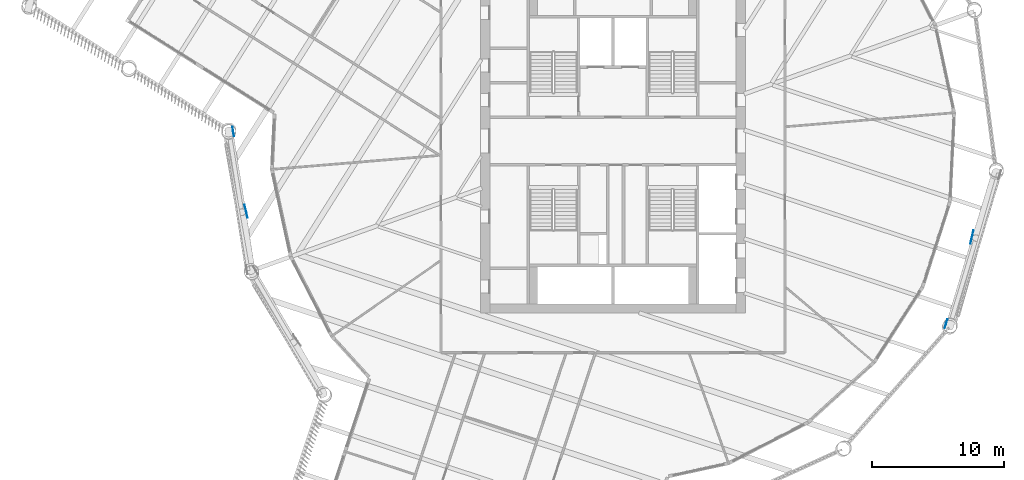
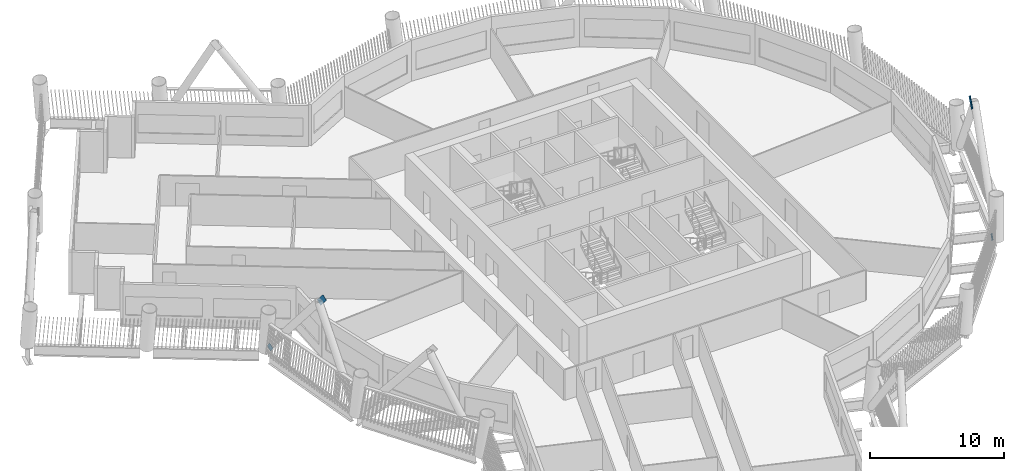
# One storey, part 9 of 22: 4 discrete accessories.
"""IFC4 building model written with IfcOpenShell, lengths in metres."""

from ifc_helpers import new_model, si_unit, direction, frame, origin, origin_2d, place, context, subcontext, project, spatial, rectangle, extrude, material, material_profile, profile_set, type_object, element, save


model = new_model("IFC4")

# Units and contexts
model_context = context("Model", 3, precision=1e-05, world=origin(), true_north=direction((0.0, 1.0)))
body_context = subcontext(model_context, "Body", "Model", "MODEL_VIEW")
ifc_project = project(units=[si_unit("LENGTHUNIT", "METRE"), si_unit("AREAUNIT", "SQUARE_METRE"), si_unit("VOLUMEUNIT", "CUBIC_METRE"), si_unit("PLANEANGLEUNIT", "RADIAN"), si_unit("MASSUNIT", "GRAM", prefix="KILO")], contexts=[model_context])

# Site, building, storey
site_placement = place(None, origin())
site = spatial("IfcSite", under=ifc_project, at=site_placement, CompositionType="ELEMENT")
building_placement = place(site_placement, origin())
building = spatial("IfcBuilding", under=site, at=building_placement, Name="Tarsis Ring Headquarters", CompositionType="ELEMENT")
storey_placement = place(building_placement, frame((0.0, 0.0, 147.60009765625)))
storey = spatial("IfcBuildingStorey", under=building, at=storey_placement, Name="L33", CompositionType="ELEMENT", Elevation=147.60009765625)

# Discrete accessories
ifc_material = material(Name="Structural steel S355", Category="steel")
ifc_material_profile = material_profile(ifc_material, rectangle(XDim=0.02490234375, YDim=0.5, at=origin_2d()), Name="PL 25x500")
ifc_profile_set = profile_set([ifc_material_profile], Name="Structural steel S355")
discrete_accessory_type = type_object("IfcDiscreteAccessoryType", Name="Gusset plate Exo brace 25", PredefinedType="BRACKET", material=ifc_profile_set)
discrete_accessory_1_placement = place(storey_placement, frame((25.115966796875, -13.967529296875, 0.0), z_axis=(0.191940916926, 0.640779854981, 0.74334370372), x_axis=(-0.957946774865, 0.286945947044, 0.0)))
element("IfcDiscreteAccessory", 1, at=discrete_accessory_1_placement, inside=storey, type_object=discrete_accessory_type, Name="Gusset plate GP5", PredefinedType="BRACKET", context=body_context, shape_type="SweptSolid", body=[
    extrude(rectangle(XDim=0.02490234375, YDim=0.5, at=origin_2d()), origin(), (0.0, 0.0, 1.0), 0.5),
])
discrete_accessory_2_placement = place(storey_placement, frame((27.045654296875, -7.58935546875, 7.42822265625), z_axis=(0.153811962993, 0.65089316403, 0.743424487799), x_axis=(-0.973196497562, 0.229975166341, 0.0)))
element("IfcDiscreteAccessory", 2, at=discrete_accessory_2_placement, inside=storey, type_object=discrete_accessory_type, Name="Gusset plate GP5", PredefinedType="BRACKET", context=body_context, shape_type="SweptSolid", body=[
    extrude(rectangle(XDim=0.02490234375, YDim=0.5, at=origin_2d()), origin(), (0.0, 0.0, 1.0), 1.0),
])
discrete_accessory_3_placement = place(storey_placement, frame((-28.7236328125, 0.876953125, 0.0), z_axis=(0.10010278765, -0.619172364586, 0.778848518544), x_axis=(0.987181833278, 0.15959958661, 0.0)))
element("IfcDiscreteAccessory", 3, at=discrete_accessory_3_placement, inside=storey, type_object=discrete_accessory_type, Name="Gusset plate GP5", PredefinedType="BRACKET", context=body_context, shape_type="SweptSolid", body=[
    extrude(rectangle(XDim=0.02490234375, YDim=0.5, at=origin_2d()), origin(), (0.0, 0.0, 1.0), 0.5),
])
discrete_accessory_4_placement = place(storey_placement, frame((-27.79248046875, -5.000732421875, 7.410400390625), z_axis=(0.136229202053, -0.612298994172, 0.778801352236), x_axis=(0.976132081947, 0.217177712012, 0.0)))
element("IfcDiscreteAccessory", 4, at=discrete_accessory_4_placement, inside=storey, type_object=discrete_accessory_type, Name="Gusset plate GP5", PredefinedType="BRACKET", context=body_context, shape_type="SweptSolid", body=[
    extrude(rectangle(XDim=0.02490234375, YDim=0.5, at=origin_2d()), origin(), (0.0, 0.0, 1.0), 1.0),
])

save(model, "model.ifc")
